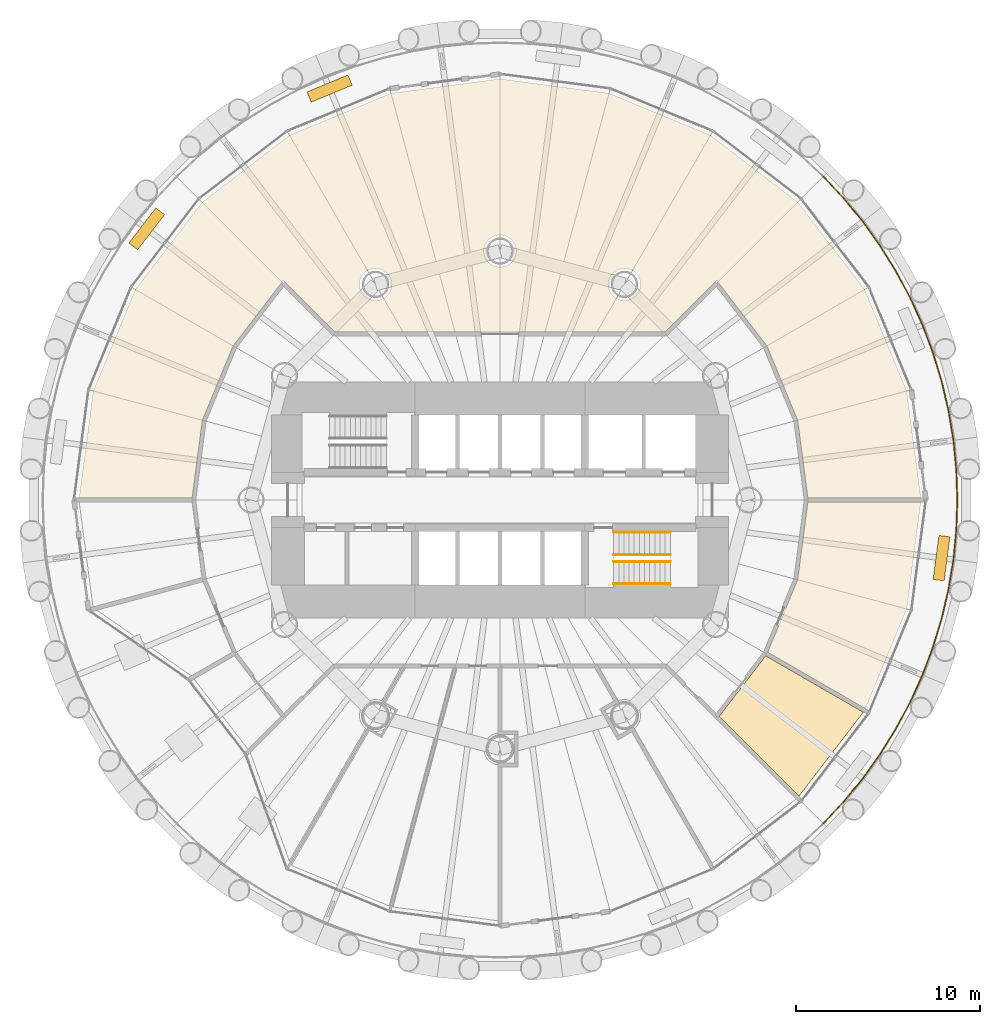
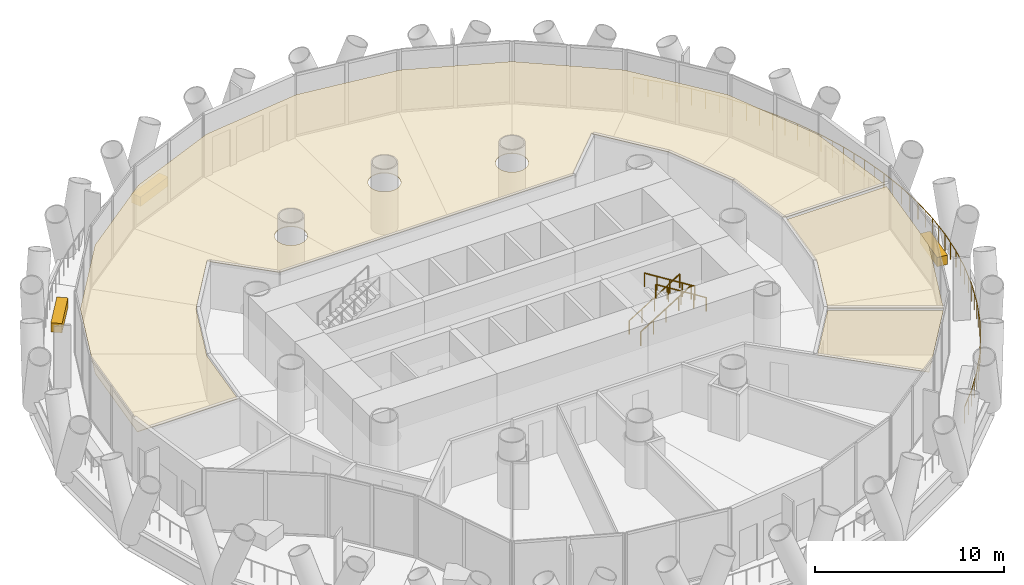
# One storey, part 13 of 14: 6 coverings, 5 railings.
"""IFC4 building model written with IfcOpenShell, lengths in metres."""

from ifc_helpers import new_model, si_unit, direction, frame, origin, origin_2d, place, context, subcontext, project, spatial, polyline, rectangle, circle, outline, extrude, material, layer, layer_set, type_object, element, save


model = new_model("IFC4")

# Units and contexts
model_context = context("Model", 3, precision=1e-05, world=origin(), true_north=direction((0.0, 1.0)))
body_context = subcontext(model_context, "Body", "Model", "MODEL_VIEW")
ifc_project = project(units=[si_unit("LENGTHUNIT", "METRE"), si_unit("AREAUNIT", "SQUARE_METRE"), si_unit("VOLUMEUNIT", "CUBIC_METRE"), si_unit("PLANEANGLEUNIT", "RADIAN"), si_unit("MASSUNIT", "GRAM", prefix="KILO")], contexts=[model_context])

# Site, building, storey
site_placement = place(None, origin())
site = spatial("IfcSite", under=ifc_project, at=site_placement, CompositionType="ELEMENT")
building_placement = place(site_placement, origin())
building = spatial("IfcBuilding", under=site, at=building_placement, Name="Qaws Media Tower", CompositionType="ELEMENT")
storey_placement = place(building_placement, frame((0.0, 0.0, 84.800048828125)))
storey = spatial("IfcBuildingStorey", under=building, at=storey_placement, Name="L18", CompositionType="ELEMENT", Elevation=84.800048828125)

# Coverings
ifc_material_1 = material(Name="40 perforated acoustic panels with mineral wool backing, suspended", Category="mineral fibre")
ifc_layer_1 = layer(ifc_material_1, 0.0400390625)
ifc_layer_set_1 = layer_set([ifc_layer_1], Name="Acoustic panel ceiling 40")
covering_type_1 = type_object("IfcCoveringType", Name="Acoustic panel ceiling 40", PredefinedType="CEILING", material=ifc_layer_set_1)
covering_1_placement = place(storey_placement, frame((0.0, 0.0, 2.849853515625)))
element("IfcCovering", 1, at=covering_1_placement, inside=storey, type_object=covering_type_1, Name="CL3 ceiling L18-02 Newsroom", PredefinedType="CEILING", context=body_context, shape_type="SweptSolid", body=[
    extrude(outline(polyline([(37.94287109375, 55.91015625), (40.22412109375, 61.41748046875), (43.85302734375, 66.14697265625), (48.58251953125, 69.77587890625), (54.08984375, 72.05712890625), (60.0, 72.835205078125), (65.91015625, 72.05712890625), (71.41748046875, 69.77587890625), (76.14697265625, 66.14697265625), (79.77587890625, 61.41748046875), (82.05712890625, 55.91015625), (82.8203125, 50.112548828125), (76.69873046875, 50.112548828125), (76.14404296875, 54.32568359375), (74.474365234375, 58.356689453125), (71.7490234375, 61.908203125), (68.953369140625, 59.112548828125), (51.046630859375, 59.112548828125), (48.2509765625, 61.908203125), (45.525634765625, 58.356689453125), (43.85595703125, 54.32568359375), (43.30126953125, 50.112548828125), (37.1796875, 50.112548828125), (37.94287109375, 55.91015625)]), holes=[polyline([(54.0546875, 61.35791015625), (54.09130859375, 61.4658203125), (54.113525390625, 61.57763671875), (54.12109375, 61.69140625), (54.113525390625, 61.804931640625), (54.09130859375, 61.916748046875), (54.0546875, 62.024658203125), (54.00439453125, 62.126708984375), (53.94091796875, 62.2216796875), (53.865966796875, 62.30712890625), (53.7802734375, 62.38232421875), (53.685546875, 62.44580078125), (53.583251953125, 62.49609375), (53.475341796875, 62.53271484375), (53.36376953125, 62.554931640625), (53.25, 62.562255859375), (53.13623046875, 62.554931640625), (53.024658203125, 62.53271484375), (52.916748046875, 62.49609375), (52.814453125, 62.44580078125), (52.7197265625, 62.38232421875), (52.634033203125, 62.30712890625), (52.55908203125, 62.2216796875), (52.49560546875, 62.126708984375), (52.4453125, 62.024658203125), (52.40869140625, 61.916748046875), (52.386474609375, 61.804931640625), (52.37890625, 61.69140625), (52.386474609375, 61.57763671875), (52.40869140625, 61.4658203125), (52.4453125, 61.35791015625), (52.49560546875, 61.255859375), (52.55908203125, 61.1611328125), (52.634033203125, 61.075439453125), (52.7197265625, 61.000244140625), (52.814453125, 60.93701171875), (52.916748046875, 60.88671875), (53.024658203125, 60.85009765625), (53.13623046875, 60.827880859375), (53.25, 60.8203125), (53.36376953125, 60.827880859375), (53.475341796875, 60.85009765625), (53.583251953125, 60.88671875), (53.685546875, 60.93701171875), (53.7802734375, 61.000244140625), (53.865966796875, 61.075439453125), (53.94091796875, 61.1611328125), (54.00439453125, 61.255859375), (54.0546875, 61.35791015625)]), polyline([(60.8046875, 63.166748046875), (60.84130859375, 63.274658203125), (60.863525390625, 63.38623046875), (60.87109375, 63.5), (60.863525390625, 63.61376953125), (60.84130859375, 63.725341796875), (60.8046875, 63.833251953125), (60.75439453125, 63.935546875), (60.69091796875, 64.0302734375), (60.615966796875, 64.115966796875), (60.5302734375, 64.19091796875), (60.435546875, 64.25439453125), (60.333251953125, 64.3046875), (60.225341796875, 64.34130859375), (60.11376953125, 64.363525390625), (60.0, 64.37109375), (59.88623046875, 64.363525390625), (59.774658203125, 64.34130859375), (59.666748046875, 64.3046875), (59.564453125, 64.25439453125), (59.4697265625, 64.19091796875), (59.384033203125, 64.115966796875), (59.30908203125, 64.0302734375), (59.24560546875, 63.935546875), (59.1953125, 63.833251953125), (59.15869140625, 63.725341796875), (59.136474609375, 63.61376953125), (59.12890625, 63.5), (59.136474609375, 63.38623046875), (59.15869140625, 63.274658203125), (59.1953125, 63.166748046875), (59.24560546875, 63.064453125), (59.30908203125, 62.9697265625), (59.384033203125, 62.884033203125), (59.4697265625, 62.80908203125), (59.564453125, 62.74560546875), (59.666748046875, 62.6953125), (59.774658203125, 62.65869140625), (59.88623046875, 62.636474609375), (60.0, 62.62890625), (60.11376953125, 62.636474609375), (60.225341796875, 62.65869140625), (60.333251953125, 62.6953125), (60.435546875, 62.74560546875), (60.5302734375, 62.80908203125), (60.615966796875, 62.884033203125), (60.69091796875, 62.9697265625), (60.75439453125, 63.064453125), (60.8046875, 63.166748046875)]), polyline([(67.5546875, 61.35791015625), (67.59130859375, 61.4658203125), (67.613525390625, 61.57763671875), (67.62109375, 61.69140625), (67.613525390625, 61.804931640625), (67.59130859375, 61.916748046875), (67.5546875, 62.024658203125), (67.50439453125, 62.126708984375), (67.44091796875, 62.2216796875), (67.365966796875, 62.30712890625), (67.2802734375, 62.38232421875), (67.185546875, 62.44580078125), (67.083251953125, 62.49609375), (66.975341796875, 62.53271484375), (66.86376953125, 62.554931640625), (66.75, 62.562255859375), (66.63623046875, 62.554931640625), (66.524658203125, 62.53271484375), (66.416748046875, 62.49609375), (66.314453125, 62.44580078125), (66.2197265625, 62.38232421875), (66.134033203125, 62.30712890625), (66.05908203125, 62.2216796875), (65.99560546875, 62.126708984375), (65.9453125, 62.024658203125), (65.90869140625, 61.916748046875), (65.886474609375, 61.804931640625), (65.87890625, 61.69140625), (65.886474609375, 61.57763671875), (65.90869140625, 61.4658203125), (65.9453125, 61.35791015625), (65.99560546875, 61.255859375), (66.05908203125, 61.1611328125), (66.134033203125, 61.075439453125), (66.2197265625, 61.000244140625), (66.314453125, 60.93701171875), (66.416748046875, 60.88671875), (66.524658203125, 60.85009765625), (66.63623046875, 60.827880859375), (66.75, 60.8203125), (66.86376953125, 60.827880859375), (66.975341796875, 60.85009765625), (67.083251953125, 60.88671875), (67.185546875, 60.93701171875), (67.2802734375, 61.000244140625), (67.365966796875, 61.075439453125), (67.44091796875, 61.1611328125), (67.50439453125, 61.255859375), (67.5546875, 61.35791015625)])]), origin(), (0.0, 0.0, 1.0), 0.0400390625),
])
covering_2_placement = place(storey_placement, frame((0.0, 0.0, 2.849853515625)))
element("IfcCovering", 2, at=covering_2_placement, inside=storey, type_object=covering_type_1, Name="CL3 ceiling L18-12 Newsroom", PredefinedType="CEILING", context=body_context, shape_type="SweptSolid", body=[
    extrude(outline(polyline([(76.14404296875, 45.67431640625), (76.69873046875, 49.887451171875), (82.8203125, 49.887451171875), (82.05712890625, 44.08984375), (79.8193359375, 38.687255859375), (74.517578125, 41.748046875), (76.14404296875, 45.67431640625)])), origin(), (0.0, 0.0, 1.0), 0.0400390625),
])

# Railing
ifc_material_2 = material(Name="Stainless steel and glass guard", Category="steel")
railing_type_1 = type_object("IfcRailingType", Name="Balcony guard 1100", PredefinedType="GUARDRAIL", material=ifc_material_2)
railing_placement = place(storey_placement, frame((77.5361328125, 32.4638671875, 0.0)))
element("IfcRailing", 3, at=railing_placement, inside=storey, type_object=railing_type_1, Name="GR1 balcony guard L18-4", PredefinedType="GUARDRAIL", context=body_context, shape_type="SweptSolid", body=[
    extrude(circle(Radius=0.02392578125, at=origin_2d()), frame((0.0, 0.0, 1.076171875), z_axis=(0.683635794022, 0.729823335563, 0.0), x_axis=(-0.729823335563, 0.683635794022, 0.0)), (0.0, 0.0, 1.0), 1.622802734375),
    extrude(circle(Radius=0.02392578125, at=origin_2d()), frame((1.109375, 1.184326171875, 1.076171875), z_axis=(0.634351188595, 0.773044998385, 0.0), x_axis=(-0.773044998385, 0.634351188595, 0.0)), (0.0, 0.0, 1.0), 1.623046875),
    extrude(circle(Radius=0.02392578125, at=origin_2d()), frame((2.138916015625, 2.43896484375, 1.076171875), z_axis=(0.582504032604, 0.812827812024, 0.0), x_axis=(-0.812827812024, 0.582504032604, 0.0)), (0.0, 0.0, 1.0), 1.622802734375),
    extrude(circle(Radius=0.02392578125, at=origin_2d()), frame((3.084228515625, 3.758056640625, 1.076171875), z_axis=(0.528145239967, 0.849154052867, 0.0), x_axis=(-0.849154052867, 0.528145239967, 0.0)), (0.0, 0.0, 1.0), 1.623046875),
    extrude(circle(Radius=0.02392578125, at=origin_2d()), frame((3.94140625, 5.13623046875, 1.076171875), z_axis=(0.471361130301, 0.881940295508, 0.0), x_axis=(-0.881940295508, 0.471361130301, 0.0)), (0.0, 0.0, 1.0), 1.622802734375),
    extrude(circle(Radius=0.02392578125, at=origin_2d()), frame((4.706298828125, 6.5673828125, 1.076171875), z_axis=(0.412646518677, 0.910891239734, 0.0), x_axis=(-0.910891239734, 0.412646518677, 0.0)), (0.0, 0.0, 1.0), 1.622802734375),
    extrude(circle(Radius=0.02392578125, at=origin_2d()), frame((5.3759765625, 8.045654296875, 1.076171875), z_axis=(0.352326658486, 0.935877089003, 0.0), x_axis=(-0.935877089003, 0.352326658486, 0.0)), (0.0, 0.0, 1.0), 1.622802734375),
    extrude(circle(Radius=0.02392578125, at=origin_2d()), frame((5.94775390625, 9.564453125, 1.076171875), z_axis=(0.290341398585, 0.956923127669, 0.0), x_axis=(-0.956923127669, 0.290341398585, 0.0)), (0.0, 0.0, 1.0), 1.622802734375),
    extrude(circle(Radius=0.02392578125, at=origin_2d()), frame((6.4189453125, 11.117431640625, 1.076171875), z_axis=(0.227001346389, 0.973894444351, 0.0), x_axis=(-0.973894444351, 0.227001346389, 0.0)), (0.0, 0.0, 1.0), 1.623046875),
    extrude(circle(Radius=0.02392578125, at=origin_2d()), frame((6.787353515625, 12.697998046875, 1.076171875), z_axis=(0.162934989647, 0.986636807112, 0.0), x_axis=(-0.986636807112, 0.162934989647, 0.0)), (0.0, 0.0, 1.0), 1.622802734375),
    extrude(circle(Radius=0.02392578125, at=origin_2d()), frame((7.0517578125, 14.299072265625, 1.076171875), z_axis=(0.097939565983, 0.995192364026, 0.0), x_axis=(-0.995192364026, 0.097939565983, 0.0)), (0.0, 0.0, 1.0), 1.622802734375),
    extrude(circle(Radius=0.02392578125, at=origin_2d()), frame((7.210693359375, 15.9140625, 1.076171875), z_axis=(0.032793911114, 0.999462135048, 0.0), x_axis=(-0.999462135048, 0.032793911114, 0.0)), (0.0, 0.0, 1.0), 1.623046875),
    extrude(circle(Radius=0.02392578125, at=origin_2d()), frame((7.263916015625, 17.5361328125, 1.076171875), z_axis=(-0.032793911114, 0.999462135048, 0.0), x_axis=(-0.999462135048, -0.032793911114, 0.0)), (0.0, 0.0, 1.0), 1.623046875),
    extrude(circle(Radius=0.02392578125, at=origin_2d()), frame((7.210693359375, 19.158203125, 1.076171875), z_axis=(-0.097939565983, 0.995192364026, 0.0), x_axis=(-0.995192364026, -0.097939565983, 0.0)), (0.0, 0.0, 1.0), 1.622802734375),
    extrude(circle(Radius=0.02392578125, at=origin_2d()), frame((7.0517578125, 20.773193359375, 1.076171875), z_axis=(-0.162934989647, 0.986636807112, 0.0), x_axis=(-0.986636807112, -0.162934989647, 0.0)), (0.0, 0.0, 1.0), 1.622802734375),
    extrude(circle(Radius=0.02392578125, at=origin_2d()), frame((6.787353515625, 22.374267578125, 1.076171875), z_axis=(-0.227001346389, 0.973894444351, 0.0), x_axis=(-0.973894444351, -0.227001346389, 0.0)), (0.0, 0.0, 1.0), 1.623046875),
    extrude(circle(Radius=0.02392578125, at=origin_2d()), frame((6.4189453125, 23.954833984375, 1.076171875), z_axis=(-0.290341398585, 0.956923127669, 0.0), x_axis=(-0.956923127669, -0.290341398585, 0.0)), (0.0, 0.0, 1.0), 1.622802734375),
    extrude(circle(Radius=0.02392578125, at=origin_2d()), frame((5.94775390625, 25.5078125, 1.076171875), z_axis=(-0.352326658486, 0.935877089003, 0.0), x_axis=(-0.935877089003, -0.352326658486, 0.0)), (0.0, 0.0, 1.0), 1.622802734375),
    extrude(circle(Radius=0.02392578125, at=origin_2d()), frame((5.3759765625, 27.026611328125, 1.076171875), z_axis=(-0.412646518677, 0.910891239734, 0.0), x_axis=(-0.910891239734, -0.412646518677, 0.0)), (0.0, 0.0, 1.0), 1.622802734375),
    extrude(circle(Radius=0.02392578125, at=origin_2d()), frame((4.706298828125, 28.5048828125, 1.076171875), z_axis=(-0.471361130301, 0.881940295508, 0.0), x_axis=(-0.881940295508, -0.471361130301, 0.0)), (0.0, 0.0, 1.0), 1.622802734375),
    extrude(circle(Radius=0.02392578125, at=origin_2d()), frame((3.94140625, 29.93603515625, 1.076171875), z_axis=(-0.528145239967, 0.849154052867, 0.0), x_axis=(-0.849154052867, -0.528145239967, 0.0)), (0.0, 0.0, 1.0), 1.623046875),
    extrude(circle(Radius=0.02392578125, at=origin_2d()), frame((3.084228515625, 31.314208984375, 1.076171875), z_axis=(-0.582504032604, 0.812827812024, 0.0), x_axis=(-0.812827812024, -0.582504032604, 0.0)), (0.0, 0.0, 1.0), 1.622802734375),
    extrude(circle(Radius=0.02392578125, at=origin_2d()), frame((2.138916015625, 32.63330078125, 1.076171875), z_axis=(-0.634351188595, 0.773044998385, 0.0), x_axis=(-0.773044998385, -0.634351188595, 0.0)), (0.0, 0.0, 1.0), 1.623046875),
    extrude(circle(Radius=0.02392578125, at=origin_2d()), frame((1.109375, 33.887939453125, 1.076171875), z_axis=(-0.683635794022, 0.729823335563, 0.0), x_axis=(-0.729823335563, -0.683635794022, 0.0)), (0.0, 0.0, 1.0), 1.622802734375),
    extrude(circle(Radius=0.02099609375, at=origin_2d()), origin(), (0.0, 0.0, 1.0), 1.052001953125),
    extrude(circle(Radius=0.02099609375, at=origin_2d()), frame((0.5546875, 0.59228515625, 0.0)), (0.0, 0.0, 1.0), 1.052001953125),
    extrude(circle(Radius=0.02099609375, at=origin_2d()), frame((1.109375, 1.184326171875, 0.0)), (0.0, 0.0, 1.0), 1.052001953125),
    extrude(circle(Radius=0.02099609375, at=origin_2d()), frame((1.6240234375, 1.8115234375, 0.0)), (0.0, 0.0, 1.0), 1.052001953125),
    extrude(circle(Radius=0.02099609375, at=origin_2d()), frame((2.138916015625, 2.43896484375, 0.0)), (0.0, 0.0, 1.0), 1.052001953125),
    extrude(circle(Radius=0.02099609375, at=origin_2d()), frame((2.611572265625, 3.0986328125, 0.0)), (0.0, 0.0, 1.0), 1.052001953125),
    extrude(circle(Radius=0.02099609375, at=origin_2d()), frame((3.084228515625, 3.758056640625, 0.0)), (0.0, 0.0, 1.0), 1.052001953125),
    extrude(circle(Radius=0.02099609375, at=origin_2d()), frame((3.5126953125, 4.447265625, 0.0)), (0.0, 0.0, 1.0), 1.052001953125),
    extrude(circle(Radius=0.02099609375, at=origin_2d()), frame((3.94140625, 5.13623046875, 0.0)), (0.0, 0.0, 1.0), 1.052001953125),
    extrude(circle(Radius=0.02099609375, at=origin_2d()), frame((4.32373046875, 5.851806640625, 0.0)), (0.0, 0.0, 1.0), 1.052001953125),
    extrude(circle(Radius=0.02099609375, at=origin_2d()), frame((4.706298828125, 6.5673828125, 0.0)), (0.0, 0.0, 1.0), 1.052001953125),
    extrude(circle(Radius=0.02099609375, at=origin_2d()), frame((5.041015625, 7.306640625, 0.0)), (0.0, 0.0, 1.0), 1.052001953125),
    extrude(circle(Radius=0.02099609375, at=origin_2d()), frame((5.3759765625, 8.045654296875, 0.0)), (0.0, 0.0, 1.0), 1.052001953125),
    extrude(circle(Radius=0.02099609375, at=origin_2d()), frame((5.661865234375, 8.80517578125, 0.0)), (0.0, 0.0, 1.0), 1.052001953125),
    extrude(circle(Radius=0.02099609375, at=origin_2d()), frame((5.94775390625, 9.564453125, 0.0)), (0.0, 0.0, 1.0), 1.052001953125),
    extrude(circle(Radius=0.02099609375, at=origin_2d()), frame((6.183349609375, 10.3408203125, 0.0)), (0.0, 0.0, 1.0), 1.052001953125),
    extrude(circle(Radius=0.02099609375, at=origin_2d()), frame((6.4189453125, 11.117431640625, 0.0)), (0.0, 0.0, 1.0), 1.052001953125),
    extrude(circle(Radius=0.02099609375, at=origin_2d()), frame((6.60302734375, 11.90771484375, 0.0)), (0.0, 0.0, 1.0), 1.052001953125),
    extrude(circle(Radius=0.02099609375, at=origin_2d()), frame((6.787353515625, 12.697998046875, 0.0)), (0.0, 0.0, 1.0), 1.052001953125),
    extrude(circle(Radius=0.02099609375, at=origin_2d()), frame((6.91943359375, 13.49853515625, 0.0)), (0.0, 0.0, 1.0), 1.052001953125),
    extrude(circle(Radius=0.02099609375, at=origin_2d()), frame((7.0517578125, 14.299072265625, 0.0)), (0.0, 0.0, 1.0), 1.052001953125),
    extrude(circle(Radius=0.02099609375, at=origin_2d()), frame((7.13134765625, 15.1064453125, 0.0)), (0.0, 0.0, 1.0), 1.052001953125),
    extrude(circle(Radius=0.02099609375, at=origin_2d()), frame((7.210693359375, 15.9140625, 0.0)), (0.0, 0.0, 1.0), 1.052001953125),
    extrude(circle(Radius=0.02099609375, at=origin_2d()), frame((7.2373046875, 16.72509765625, 0.0)), (0.0, 0.0, 1.0), 1.052001953125),
    extrude(circle(Radius=0.02099609375, at=origin_2d()), frame((7.263916015625, 17.5361328125, 0.0)), (0.0, 0.0, 1.0), 1.052001953125),
    extrude(circle(Radius=0.02099609375, at=origin_2d()), frame((7.2373046875, 18.34716796875, 0.0)), (0.0, 0.0, 1.0), 1.052001953125),
    extrude(circle(Radius=0.02099609375, at=origin_2d()), frame((7.210693359375, 19.158203125, 0.0)), (0.0, 0.0, 1.0), 1.052001953125),
    extrude(circle(Radius=0.02099609375, at=origin_2d()), frame((7.13134765625, 19.9658203125, 0.0)), (0.0, 0.0, 1.0), 1.052001953125),
    extrude(circle(Radius=0.02099609375, at=origin_2d()), frame((7.0517578125, 20.773193359375, 0.0)), (0.0, 0.0, 1.0), 1.052001953125),
    extrude(circle(Radius=0.02099609375, at=origin_2d()), frame((6.91943359375, 21.57373046875, 0.0)), (0.0, 0.0, 1.0), 1.052001953125),
    extrude(circle(Radius=0.02099609375, at=origin_2d()), frame((6.787353515625, 22.374267578125, 0.0)), (0.0, 0.0, 1.0), 1.052001953125),
    extrude(circle(Radius=0.02099609375, at=origin_2d()), frame((6.60302734375, 23.16455078125, 0.0)), (0.0, 0.0, 1.0), 1.052001953125),
    extrude(circle(Radius=0.02099609375, at=origin_2d()), frame((6.4189453125, 23.954833984375, 0.0)), (0.0, 0.0, 1.0), 1.052001953125),
    extrude(circle(Radius=0.02099609375, at=origin_2d()), frame((6.183349609375, 24.7314453125, 0.0)), (0.0, 0.0, 1.0), 1.052001953125),
    extrude(circle(Radius=0.02099609375, at=origin_2d()), frame((5.94775390625, 25.5078125, 0.0)), (0.0, 0.0, 1.0), 1.052001953125),
    extrude(circle(Radius=0.02099609375, at=origin_2d()), frame((5.661865234375, 26.26708984375, 0.0)), (0.0, 0.0, 1.0), 1.052001953125),
    extrude(circle(Radius=0.02099609375, at=origin_2d()), frame((5.3759765625, 27.026611328125, 0.0)), (0.0, 0.0, 1.0), 1.052001953125),
    extrude(circle(Radius=0.02099609375, at=origin_2d()), frame((5.041015625, 27.765625, 0.0)), (0.0, 0.0, 1.0), 1.052001953125),
    extrude(circle(Radius=0.02099609375, at=origin_2d()), frame((4.706298828125, 28.5048828125, 0.0)), (0.0, 0.0, 1.0), 1.052001953125),
    extrude(circle(Radius=0.02099609375, at=origin_2d()), frame((4.32373046875, 29.220458984375, 0.0)), (0.0, 0.0, 1.0), 1.052001953125),
    extrude(circle(Radius=0.02099609375, at=origin_2d()), frame((3.94140625, 29.93603515625, 0.0)), (0.0, 0.0, 1.0), 1.052001953125),
    extrude(circle(Radius=0.02099609375, at=origin_2d()), frame((3.5126953125, 30.625, 0.0)), (0.0, 0.0, 1.0), 1.052001953125),
    extrude(circle(Radius=0.02099609375, at=origin_2d()), frame((3.084228515625, 31.314208984375, 0.0)), (0.0, 0.0, 1.0), 1.052001953125),
    extrude(circle(Radius=0.02099609375, at=origin_2d()), frame((2.611572265625, 31.9736328125, 0.0)), (0.0, 0.0, 1.0), 1.052001953125),
    extrude(circle(Radius=0.02099609375, at=origin_2d()), frame((2.138916015625, 32.63330078125, 0.0)), (0.0, 0.0, 1.0), 1.052001953125),
    extrude(circle(Radius=0.02099609375, at=origin_2d()), frame((1.6240234375, 33.2607421875, 0.0)), (0.0, 0.0, 1.0), 1.052001953125),
    extrude(circle(Radius=0.02099609375, at=origin_2d()), frame((1.109375, 33.887939453125, 0.0)), (0.0, 0.0, 1.0), 1.052001953125),
    extrude(circle(Radius=0.02099609375, at=origin_2d()), frame((0.5546875, 34.47998046875, 0.0)), (0.0, 0.0, 1.0), 1.052001953125),
    extrude(circle(Radius=0.02099609375, at=origin_2d()), frame((0.0, 35.072265625, 0.0)), (0.0, 0.0, 1.0), 1.052001953125),
])

# Coverings
ifc_material_3 = material(Name="600 x 600 mineral fibre tiles in exposed grid, suspended", Category="mineral fibre")
ifc_layer_2 = layer(ifc_material_3, 0.02001953125)
ifc_layer_set_2 = layer_set([ifc_layer_2], Name="Mineral fibre tile ceiling 20")
covering_type_2 = type_object("IfcCoveringType", Name="Mineral fibre tile ceiling 20", PredefinedType="CEILING", material=ifc_layer_set_2)
covering_3_placement = place(storey_placement, frame((0.0, 0.0, 2.849853515625)))
element("IfcCovering", 4, at=covering_3_placement, inside=storey, type_object=covering_type_2, Name="CL1 ceiling L18-11 Ladies toilets", PredefinedType="CEILING", context=body_context, shape_type="SweptSolid", body=[
    extrude(outline(polyline([(76.216064453125, 33.943115234375), (71.88720703125, 38.271728515625), (74.4052734375, 41.55322265625), (79.706787109375, 38.492431640625), (76.216064453125, 33.943115234375)])), origin(), (0.0, 0.0, 1.0), 0.02001953125),
])
ifc_material_4 = material(Name="Precast concrete planter with trailing planting", Category="concrete")
ifc_layer_3 = layer(ifc_material_4, 0.60009765625)
ifc_layer_set_3 = layer_set([ifc_layer_3], Name="Planter 2400x600")
covering_type_3 = type_object("IfcCoveringType", Name="Planter 2400x600", PredefinedType="USERDEFINED", material=ifc_layer_set_3)
for number, where, z_axis, x_axis, name in (
    (5, (50.75830078125, 72.311767578125, 0.0), (0.0, 0.0, 1.0), (-0.923879532511, -0.382683432365, 0.0), "PL1 balcony planter L18-04"),
    (6, (40.840576171875, 64.70166015625, 0.0), (0.0, 0.0, 1.0), (-0.608761429009, -0.793353340291, 0.0), "PL1 balcony planter L18-05"),
    (7, (83.943359375, 46.847900390625, 0.0), (0.0, 0.0, 1.0), (0.13052619222, 0.991444861374, 0.0), "PL1 balcony planter L18-12"),
):
    element("IfcCovering", number, at=place(storey_placement, frame(where, z_axis=z_axis, x_axis=x_axis)), inside=storey, type_object=covering_type_3, Name=name, ObjectType="PLANTER", PredefinedType="USERDEFINED", context=body_context, shape_type="SweptSolid", body=[
        extrude(rectangle(XDim=2.39990234375, YDim=0.60009765625, at=origin_2d()), origin(), (0.0, 0.0, 1.0), 0.60009765625),
    ])

# Railings
ifc_material_5 = material(Name="Steel tube handrail", Category="steel")
railing_type_2 = type_object("IfcRailingType", Name="Stair handrail 900", PredefinedType="HANDRAIL", material=ifc_material_5)
for number, where, name in (
    (8, (66.159912109375, 48.25, 0.175048828125), "HR1 handrail S2 flight 1 L18"),
    (9, (66.159912109375, 47.0400390625, 0.175048828125), "HR1 handrail S2 flight 1 L18"),
):
    element("IfcRailing", number, at=place(storey_placement, frame(where)), inside=storey, type_object=railing_type_2, Name=name, PredefinedType="HANDRAIL", context=body_context, shape_type="SweptSolid", body=[
        extrude(circle(Radius=0.02392578125, at=origin_2d()), frame((0.0, 0.0, 0.8759765625), z_axis=(0.848028513186, 0.0, 0.529950602248), x_axis=(0.0, 1.0, 0.0)), (0.0, 0.0, 1.0), 3.632080078125),
        extrude(circle(Radius=0.02099609375, at=origin_2d()), origin(), (0.0, 0.0, 1.0), 0.851806640625),
        extrude(circle(Radius=0.02099609375, at=origin_2d()), frame((0.77001953125, 0.0, 0.481201171875)), (0.0, 0.0, 1.0), 0.851806640625),
        extrude(circle(Radius=0.02099609375, at=origin_2d()), frame((1.5400390625, 0.0, 0.96240234375)), (0.0, 0.0, 1.0), 0.851806640625),
        extrude(circle(Radius=0.02099609375, at=origin_2d()), frame((2.31005859375, 0.0, 1.443603515625)), (0.0, 0.0, 1.0), 0.851806640625),
        extrude(circle(Radius=0.02099609375, at=origin_2d()), frame((3.080078125, 0.0, 1.9248046875)), (0.0, 0.0, 1.0), 0.851806640625),
    ])
for number, where, name in (
    (10, (69.239990234375, 45.449951171875, 2.27490234375), "HR1 handrail S2 flight 2 L18"),
    (11, (69.239990234375, 46.659912109375, 2.27490234375), "HR1 handrail S2 flight 2 L18"),
):
    element("IfcRailing", number, at=place(storey_placement, frame(where)), inside=storey, type_object=railing_type_2, Name=name, PredefinedType="HANDRAIL", context=body_context, shape_type="SweptSolid", body=[
        extrude(circle(Radius=0.02392578125, at=origin_2d()), frame((0.0, 0.0, 0.8759765625), z_axis=(-0.847998304005, 0.0, 0.529998940003), x_axis=(0.0, -1.0, 0.0)), (0.0, 0.0, 1.0), 3.632080078125),
        extrude(circle(Radius=0.02099609375, at=origin_2d()), origin(), (0.0, 0.0, 1.0), 0.851806640625),
        extrude(circle(Radius=0.02099609375, at=origin_2d()), frame((-0.77001953125, 0.0, 0.481201171875)), (0.0, 0.0, 1.0), 0.851806640625),
        extrude(circle(Radius=0.02099609375, at=origin_2d()), frame((-1.5400390625, 0.0, 0.96240234375)), (0.0, 0.0, 1.0), 0.851806640625),
        extrude(circle(Radius=0.02099609375, at=origin_2d()), frame((-2.31005859375, 0.0, 1.44384765625)), (0.0, 0.0, 1.0), 0.851806640625),
        extrude(circle(Radius=0.02099609375, at=origin_2d()), frame((-3.080078125, 0.0, 1.925048828125)), (0.0, 0.0, 1.0), 0.851806640625),
    ])

save(model, "model.ifc")
